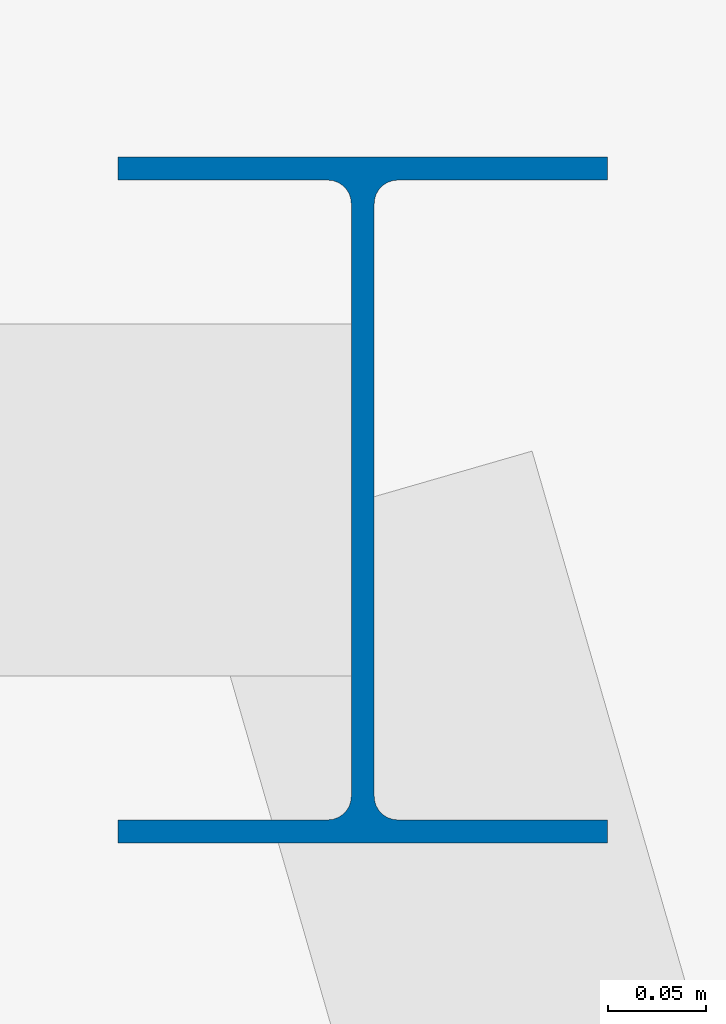
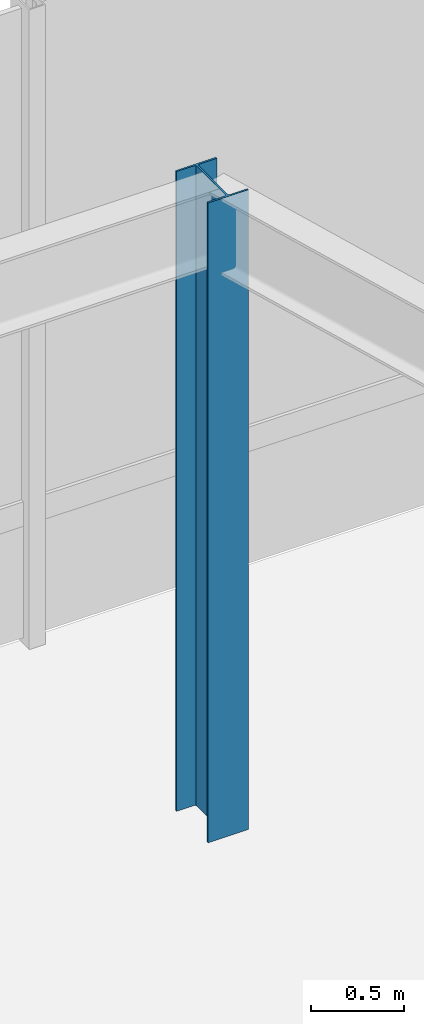
# One storey, part 4 of 32: 1 column.
"""IFC4 building model written with IfcOpenShell, lengths in metres."""

from ifc_helpers import new_model, si_unit, direction, frame, origin, origin_2d, place, context, subcontext, project, spatial, i_section, extrude, source, transform, mapped, material, material_profile, profile_set, type_object, element, save


model = new_model("IFC4")

# Units and contexts
model_context = context("Model", 3, precision=1e-05, world=origin(), true_north=direction((0.0, 1.0)))
body_context = subcontext(model_context, "Body", "Model", "MODEL_VIEW")
ifc_project = project(units=[si_unit("LENGTHUNIT", "METRE"), si_unit("AREAUNIT", "SQUARE_METRE"), si_unit("VOLUMEUNIT", "CUBIC_METRE"), si_unit("PLANEANGLEUNIT", "RADIAN"), si_unit("MASSUNIT", "GRAM", prefix="KILO")], contexts=[model_context])

# Site, building, storey
site_placement = place(None, origin())
site = spatial("IfcSite", under=ifc_project, at=site_placement, CompositionType="ELEMENT")
building_placement = place(site_placement, origin())
building = spatial("IfcBuilding", under=site, at=building_placement, Name="Sahyath Konkavel Grand Hotel", CompositionType="ELEMENT")
storey_placement = place(building_placement, frame((0.0, 0.0, 14.10009765625)))
storey = spatial("IfcBuildingStorey", under=building, at=storey_placement, Name="L03", CompositionType="ELEMENT", Elevation=14.10009765625)

# Column
ifc_material = material(Name="Steel E350", Category="steel")
ifc_material_profile = material_profile(ifc_material, i_section(OverallWidth=0.25, OverallDepth=0.35009765625, WebThickness=0.01171875, FlangeThickness=0.01171875, FilletRadius=0.011962890625, at=origin_2d()), Name="ISHB 350")
ifc_profile_set = profile_set([ifc_material_profile], Name="Steel E350")
column_type = type_object("IfcColumnType", Name="COL-ISHB350", PredefinedType="COLUMN", material=ifc_profile_set)
shared_shape = source(origin(), body_context, "Body", "SweptSolid", [
    extrude(i_section(OverallWidth=0.25, OverallDepth=0.35009765625, WebThickness=0.01171875, FlangeThickness=0.01171875, FilletRadius=0.011962890625, at=origin_2d()), origin(), (0.0, 0.0, 1.0), 4.179931640625),
])
column_placement = place(storey_placement, frame((18.0, 20.5, 0.0), z_axis=(0.0, 0.0, 1.0), x_axis=(1.0, 0.0, 0.0)))
element("IfcColumn", 1, at=column_placement, inside=storey, type_object=column_type, Name="L03 Sandstone Colonnade Pier CL-N4", PredefinedType="COLUMN", context=body_context, shape_type="MappedRepresentation", body=[
    mapped(shared_shape, transform((0.0, 0.0, 0.0), scale=1.0)),
])

save(model, "model.ifc")
